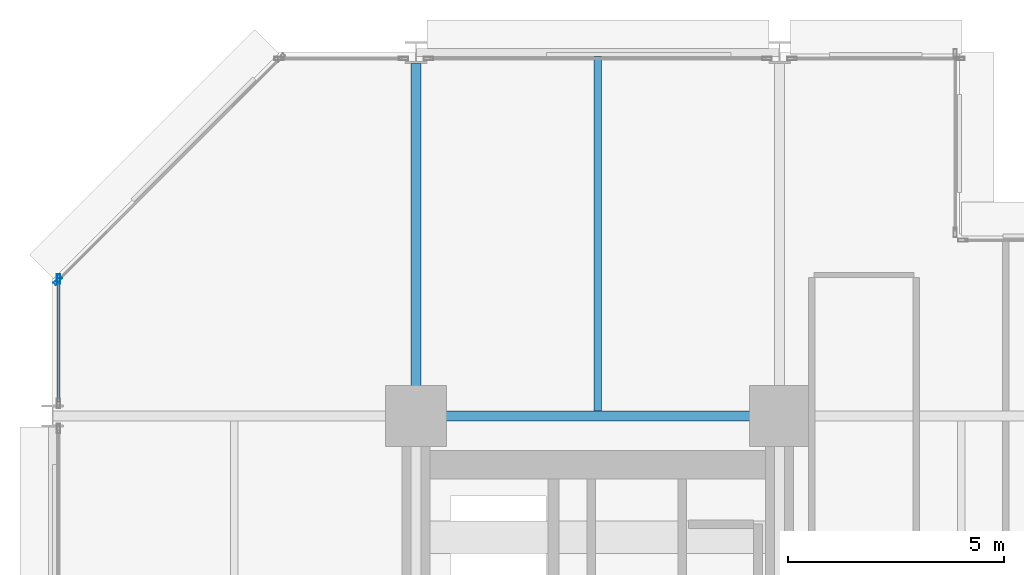
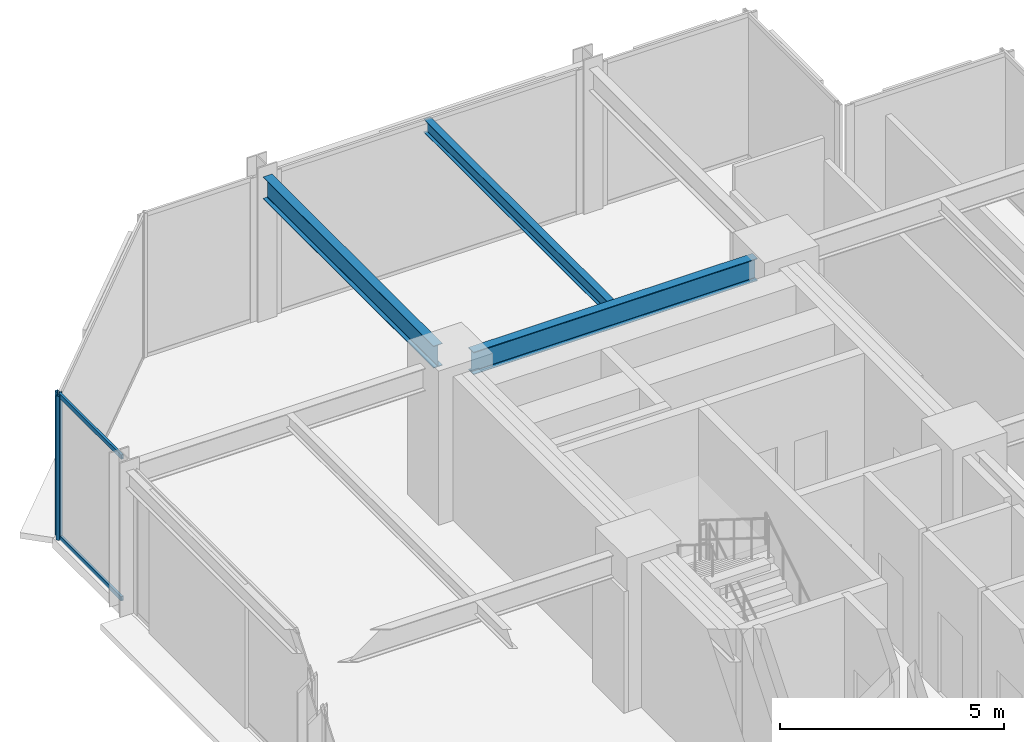
# One storey, part 17 of 27: 4 members, 3 beams, 2 elements without a shape of their own.
"""IFC4 building model written with IfcOpenShell, lengths in metres."""

from ifc_helpers import new_model, si_unit, direction, frame, origin, origin_2d, place, context, subcontext, project, spatial, hollow_rectangle, i_section, extrude, material, layer, layer_set, material_profile, profile_set, type_object, element, aggregate, save


model = new_model("IFC4")

# Units and contexts
model_context = context("Model", 3, precision=1e-05, world=origin(), true_north=direction((0.0, 1.0)))
body_context = subcontext(model_context, "Body", "Model", "MODEL_VIEW")
ifc_project = project(units=[si_unit("LENGTHUNIT", "METRE"), si_unit("AREAUNIT", "SQUARE_METRE"), si_unit("VOLUMEUNIT", "CUBIC_METRE"), si_unit("PLANEANGLEUNIT", "RADIAN"), si_unit("MASSUNIT", "GRAM", prefix="KILO")], contexts=[model_context])

# Site, building, storey
site_placement = place(None, origin())
site = spatial("IfcSite", under=ifc_project, at=site_placement, CompositionType="ELEMENT")
building_placement = place(site_placement, origin())
building = spatial("IfcBuilding", under=site, at=building_placement, Name="Nerrivon Quay Data Exchange", CompositionType="ELEMENT")
storey_placement = place(building_placement, frame((0.0, 0.0, 66.800048828125)))
storey = spatial("IfcBuildingStorey", under=building, at=storey_placement, Name="L15", CompositionType="ELEMENT", Elevation=66.800048828125)

# Beams
ifc_material_1 = material(Name="Steel Grade 350", Category="steel")
ifc_material_profile_1 = material_profile(ifc_material_1, i_section(OverallWidth=0.22900390625, OverallDepth=0.612060546875, WebThickness=0.011962890625, FlangeThickness=0.01953125, FilletRadius=0.013916015625, at=origin_2d()), Name="610UB125")
ifc_profile_set_1 = profile_set([ifc_material_profile_1], Name="Steel Grade 350")
beam_type_1 = type_object("IfcBeamType", Name="BM-G1-610UB125", PredefinedType="BEAM", material=ifc_profile_set_1)
beam_1_placement = place(storey_placement, frame((8.93994140625, 42.0, 3.618896484375), z_axis=(1.0, 0.0, 0.0), x_axis=(0.0, 1.0, 0.0)))
element("IfcBeam", 1, at=beam_1_placement, inside=storey, type_object=beam_type_1, Name="L15 EW Girder Y=42.0 (8.4..16.8)", PredefinedType="BEAM", context=body_context, shape_type="SweptSolid", body=[
    extrude(i_section(OverallWidth=0.22900390625, OverallDepth=0.612060546875, WebThickness=0.011962890625, FlangeThickness=0.01953125, FilletRadius=0.013916015625, at=origin_2d()), origin(), (0.0, 0.0, 1.0), 7.320068359375),
])
ifc_material_profile_2 = material_profile(ifc_material_1, i_section(OverallWidth=0.22802734375, OverallDepth=0.60205078125, WebThickness=0.010498046875, FlangeThickness=0.014892578125, FilletRadius=0.013916015625, at=origin_2d()), Name="610UB101")
ifc_profile_set_2 = profile_set([ifc_material_profile_2], Name="Steel Grade 350")
beam_type_2 = type_object("IfcBeamType", Name="BM-G2-610UB101", PredefinedType="BEAM", material=ifc_profile_set_2)
beam_2_placement = place(storey_placement, frame((8.39990234375, 42.5400390625, 3.6240234375), z_axis=(0.0, 1.0, 0.0), x_axis=(-1.0, 0.0, 0.0)))
element("IfcBeam", 2, at=beam_2_placement, inside=storey, type_object=beam_type_2, Name="L15 NS Girder X=8.4 (42.0..50.4)", PredefinedType="BEAM", context=body_context, shape_type="SweptSolid", body=[
    extrude(i_section(OverallWidth=0.22802734375, OverallDepth=0.60205078125, WebThickness=0.010498046875, FlangeThickness=0.014892578125, FilletRadius=0.013916015625, at=origin_2d()), origin(), (0.0, 0.0, 1.0), 7.60986328125),
])
ifc_material_profile_3 = material_profile(ifc_material_1, i_section(OverallWidth=0.172119140625, OverallDepth=0.35888671875, WebThickness=0.008056640625, FlangeThickness=0.012939453125, FilletRadius=0.011474609375, at=origin_2d()), Name="360UB56.7")
ifc_profile_set_3 = profile_set([ifc_material_profile_3], Name="Steel Grade 350")
beam_type_3 = type_object("IfcBeamType", Name="BM-J3-360UB57", PredefinedType="JOIST", material=ifc_profile_set_3)
beam_3_placement = place(storey_placement, frame((12.60009765625, 42.114501953125, 3.745361328125), z_axis=(0.0, 1.0, 0.0), x_axis=(-1.0, 0.0, 0.0)))
element("IfcBeam", 3, at=beam_3_placement, inside=storey, type_object=beam_type_3, Name="L15 Secondary Joist X=12.6 (42.0..50.4)", PredefinedType="JOIST", context=body_context, shape_type="SweptSolid", body=[
    extrude(i_section(OverallWidth=0.172119140625, OverallDepth=0.35888671875, WebThickness=0.008056640625, FlangeThickness=0.012939453125, FilletRadius=0.011474609375, at=origin_2d()), origin(), (0.0, 0.0, 1.0), 8.1904296875),
])

# Curtain wall, member
ifc_material_2 = material(Name="Anodised aluminium 6063-T6", Category="aluminium")
ifc_layer = layer(ifc_material_2, 0.219970703125)
ifc_layer_set = layer_set([ifc_layer], Name="Anodised aluminium 6063-T6")
curtain_wall_type = type_object("IfcCurtainWallType", Name="CW-SYS-01", PredefinedType="NOTDEFINED", material=ifc_layer_set)
curtain_wall_1_placement = place(storey_placement, origin())
curtain_wall_1 = element("IfcCurtainWall", 4, at=curtain_wall_1_placement, inside=storey, type_object=curtain_wall_type, Name="L15 Unitised Curtain Wall 22", PredefinedType="NOTDEFINED")
ifc_material_profile_4 = material_profile(ifc_material_2, hollow_rectangle(XDim=0.074951171875, YDim=0.219970703125, WallThickness=0.00390625, at=origin_2d()), Name="ALU-MULL-220x75")
ifc_profile_set_4 = profile_set([ifc_material_profile_4], Name="Anodised aluminium 6063-T6")
member_type_1 = type_object("IfcMemberType", Name="CWM-220x75", PredefinedType="MULLION", material=ifc_profile_set_4)
member_1_placement = place(storey_placement, frame((0.139892578125, 45.16259765625, 0.0), z_axis=(0.0, 0.0, 1.0), x_axis=(-1.0, 0.0, 0.0)))
member_1 = element("IfcMember", 5, at=member_1_placement, type_object=member_type_1, Name="CW01 mullion 2", PredefinedType="MULLION", context=body_context, shape_type="SweptSolid", body=[
    extrude(hollow_rectangle(XDim=0.074951171875, YDim=0.219970703125, WallThickness=0.00390625, at=origin_2d()), origin(), (0.0, 0.0, 1.0), 3.925048828125),
])

curtain_wall_2_placement = place(storey_placement, origin())
curtain_wall_2 = element("IfcCurtainWall", 6, at=curtain_wall_2_placement, inside=storey, type_object=curtain_wall_type, Name="L15 Unitised Curtain Wall 23", PredefinedType="NOTDEFINED")
member_2_placement = place(storey_placement, frame((0.12548828125, 45.12744140625, 0.0), z_axis=(0.0, 0.0, 1.0), x_axis=(-0.707106781187, 0.707106781187, 0.0)))
member_2 = element("IfcMember", 7, at=member_2_placement, type_object=member_type_1, Name="CW01 mullion 1", PredefinedType="MULLION", context=body_context, shape_type="SweptSolid", body=[
    extrude(hollow_rectangle(XDim=0.074951171875, YDim=0.219970703125, WallThickness=0.00390625, at=origin_2d()), origin(), (0.0, 0.0, 1.0), 3.925048828125),
])
aggregate(curtain_wall_2, [member_2])

# Member
ifc_material_profile_5 = material_profile(ifc_material_2, hollow_rectangle(XDim=0.06005859375, YDim=0.1201171875, WallThickness=0.003173828125, at=origin_2d()), Name="ALU-TRAN-120x60")
ifc_profile_set_5 = profile_set([ifc_material_profile_5], Name="Anodised aluminium 6063-T6")
member_type_2 = type_object("IfcMemberType", Name="CWT-120x60", PredefinedType="USERDEFINED", material=ifc_profile_set_5)
member_3_placement = place(storey_placement, frame((0.139892578125, 42.324951171875, 0.032470703125), z_axis=(0.0, 1.0, 0.0), x_axis=(-1.0, 0.0, 0.0)))
member_3 = element("IfcMember", 8, at=member_3_placement, type_object=member_type_2, Name="CW01 transom 1.1", ObjectType="TRANSOM", PredefinedType="USERDEFINED", context=body_context, shape_type="SweptSolid", body=[
    extrude(hollow_rectangle(XDim=0.06005859375, YDim=0.1201171875, WallThickness=0.003173828125, at=origin_2d()), origin(), (0.0, 0.0, 1.0), 2.800048828125),
])

member_4_placement = place(storey_placement, frame((0.139892578125, 42.324951171875, 3.892333984375), z_axis=(0.0, 1.0, 0.0), x_axis=(-1.0, 0.0, 0.0)))
member_4 = element("IfcMember", 9, at=member_4_placement, type_object=member_type_2, Name="CW01 transom 1.2", ObjectType="TRANSOM", PredefinedType="USERDEFINED", context=body_context, shape_type="SweptSolid", body=[
    extrude(hollow_rectangle(XDim=0.06005859375, YDim=0.1201171875, WallThickness=0.003173828125, at=origin_2d()), origin(), (0.0, 0.0, 1.0), 2.800048828125),
])

aggregate(curtain_wall_1, [member_1, member_3, member_4])

save(model, "model.ifc")
